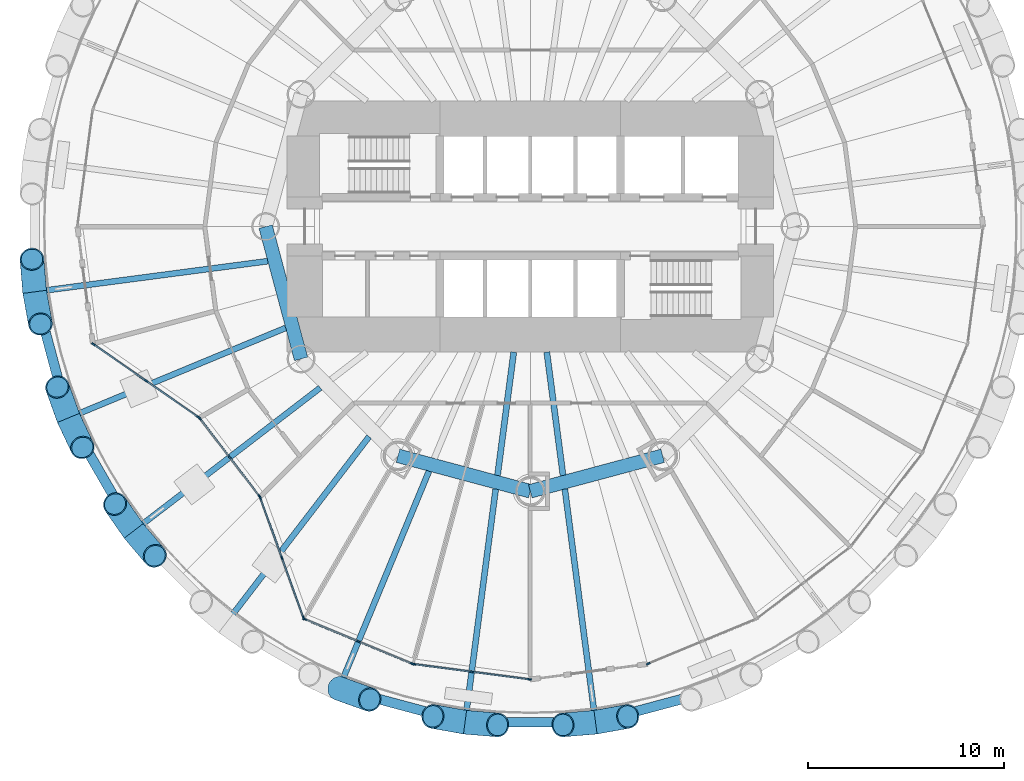
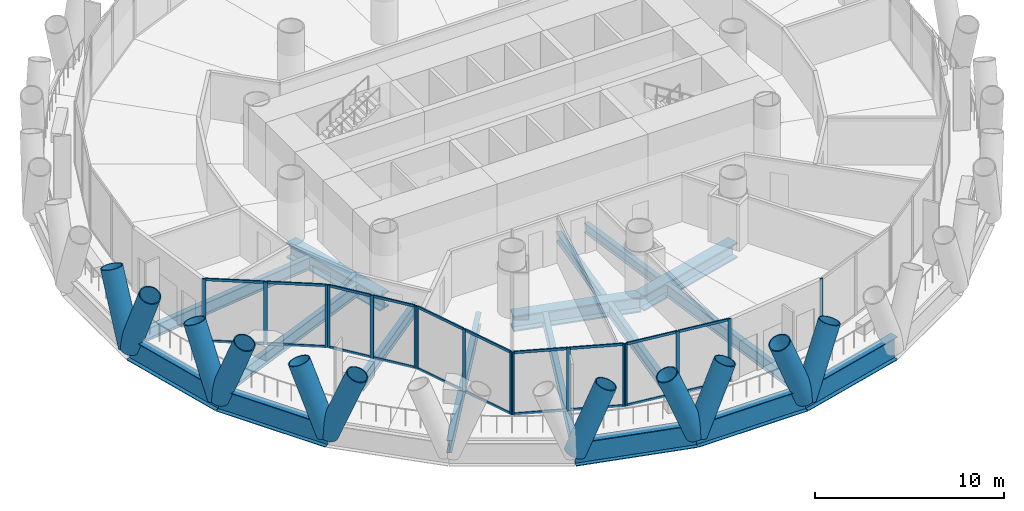
# One storey, part 2 of 14: 47 members, 17 beams, 6 elements without a shape of their own.
"""IFC4 building model written with IfcOpenShell, lengths in metres."""

import ifcopenshell
import ifcopenshell.guid

model = None  # the IFC model being written
_history = None  # IfcOwnerHistory: only IFC2X3 demands one
_inside = {}  # id of a spatial element -> (the spatial element, [elements in it])
_under = {}  # id of a project, library or spatial element -> (it, [spatial elements below it])
_declared = {}  # id of a project -> (the project, [libraries it declares])
_typed = {}  # id of a type object -> (the type object, [elements of that type])
_made_of = {}  # id of a material, layer set ... -> (it, [elements and type objects made of it])


def new_model(schema):
    """Start an empty IFC model of exactly this schema.

    Asked for "IFC4X3", IfcOpenShell would pick the latest addendum, in which some entities
    have other attributes; the version numbers below select the first issue.
    IFC2X3 requires an IfcOwnerHistory on every rooted entity: one is made here for all.
    """
    global model, _history
    if schema == "IFC4X3":
        model = ifcopenshell.file(schema_version=(4, 3, 0, 0))
    else:
        model = ifcopenshell.file(schema=schema)
    _inside.clear()
    _under.clear()
    _declared.clear()
    _typed.clear()
    _made_of.clear()
    _history = None
    if model.schema == "IFC2X3":
        org = make("IfcOrganization", Name="unknown")
        user = make(
            "IfcPersonAndOrganization",
            ThePerson=make("IfcPerson", FamilyName="unknown"),
            TheOrganization=org,
        )
        app = make(
            "IfcApplication",
            ApplicationDeveloper=org,
            Version="unknown",
            ApplicationFullName="unknown",
            ApplicationIdentifier="unknown",
        )
        _history = make(
            "IfcOwnerHistory",
            OwningUser=user,
            OwningApplication=app,
            ChangeAction="ADDED",
            CreationDate=0,
        )
    return model


def make(cls, **values):
    """One entity of the class cls with the attributes given. An attribute that is None is left unset."""
    return model.create_entity(
        cls, **{name: value for name, value in values.items() if value is not None}
    )


def rooted(cls, **values):
    """An entity with a GlobalId (a new one), such as an element, a storey or a relation."""
    return make(cls, GlobalId=ifcopenshell.guid.new(), OwnerHistory=_history, **values)


def si_unit(unit_type, name, prefix=None):
    """IfcSIUnit, for example si_unit("LENGTHUNIT", "METRE", prefix="MILLI")."""
    return make("IfcSIUnit", UnitType=unit_type, Prefix=prefix, Name=name)


def assignment(units):
    """IfcUnitAssignment: the units of a project."""
    return None if units is None else make("IfcUnitAssignment", Units=units)


def point(xyz):
    """IfcCartesianPoint."""
    return None if xyz is None else make("IfcCartesianPoint", Coordinates=xyz)


def direction(xyz):
    """IfcDirection."""
    return None if xyz is None else make("IfcDirection", DirectionRatios=xyz)


def frame(location, z_axis=None, x_axis=None):
    """IfcAxis2Placement3D, a coordinate frame: its origin and axes. An axis left out is left unset."""
    return make(
        "IfcAxis2Placement3D",
        Location=point(location),
        Axis=direction(z_axis),
        RefDirection=direction(x_axis),
    )


def frame_2d(location, x_axis=None):
    """IfcAxis2Placement2D, a coordinate frame in the plane: its origin and x axis."""
    return make(
        "IfcAxis2Placement2D", Location=point(location), RefDirection=direction(x_axis)
    )


def origin():
    """The frame at (0, 0, 0) with its axes left unset."""
    return frame((0.0, 0.0, 0.0))


def origin_2d():
    """The frame at (0, 0) in the plane with its x axis left unset."""
    return frame_2d((0.0, 0.0))


def place(relative_to, where):
    """IfcLocalPlacement: puts the frame where relative to a parent placement (None: the world)."""
    return make(
        "IfcLocalPlacement", PlacementRelTo=relative_to, RelativePlacement=where
    )


def context(
    kind, dimensions, precision=None, world=None, true_north=None, identifier=None
):
    """IfcGeometricRepresentationContext, for example the 3D "Model" context."""
    return make(
        "IfcGeometricRepresentationContext",
        ContextIdentifier=identifier,
        ContextType=kind,
        CoordinateSpaceDimension=dimensions,
        Precision=precision,
        WorldCoordinateSystem=world,
        TrueNorth=true_north,
    )


def subcontext(parent, identifier, kind, view, scale=None):
    """IfcGeometricRepresentationSubContext, for example "Body" below "Model"."""
    return make(
        "IfcGeometricRepresentationSubContext",
        ContextIdentifier=identifier,
        ContextType=kind,
        ParentContext=parent,
        TargetScale=scale,
        TargetView=view,
    )


def project(units=None, contexts=None):
    """IfcProject with its units and contexts."""
    return rooted(
        "IfcProject",
        Name="project",
        RepresentationContexts=contexts,
        UnitsInContext=assignment(units),
    )


def spatial(cls, under=None, at=None, **own):
    """A site, building, storey or space (cls), placed at a placement, below another one or the project."""
    s = rooted(cls, ObjectPlacement=at, **own)
    if under is not None:
        _under.setdefault(under.id(), (under, []))[1].append(s)
    return s


def profile(cls, at=None, kind="AREA", **sizes):
    """A parametric profile (cls). Its sizes go by their IFC names, for example OverallWidth=200.0."""
    return make(cls, ProfileType=kind, Position=at, **sizes)


def rectangle(**sizes):
    """IfcRectangleProfileDef."""
    return profile("IfcRectangleProfileDef", **sizes)


def hollow_circle(**sizes):
    """IfcCircleHollowProfileDef."""
    return profile("IfcCircleHollowProfileDef", **sizes)


def i_section(**sizes):
    """IfcIShapeProfileDef."""
    return profile("IfcIShapeProfileDef", **sizes)


def extrude(swept, where, along, depth):
    """IfcExtrudedAreaSolid: the profile swept, set in the frame where, extruded along a direction by depth."""
    return make(
        "IfcExtrudedAreaSolid",
        SweptArea=swept,
        Position=where,
        ExtrudedDirection=direction(along),
        Depth=depth,
    )


def shape(context_of_items, identifier, shape_type, items):
    """IfcShapeRepresentation: the items that make up one representation, for example the "Body"."""
    return make(
        "IfcShapeRepresentation",
        ContextOfItems=context_of_items,
        RepresentationIdentifier=identifier,
        RepresentationType=shape_type,
        Items=items,
    )


def material(Name=None, Category=None):
    """IfcMaterial."""
    return make("IfcMaterial", Name=Name, Category=Category)


def material_profile(
    of_material, cross_section, Name=None, Category=None, Priority=None
):
    """IfcMaterialProfile: a cross section and its material."""
    return make(
        "IfcMaterialProfile",
        Name=Name,
        Material=of_material,
        Profile=cross_section,
        Priority=Priority,
        Category=Category,
    )


def profile_set(profiles, Name=None, composite=None):
    """IfcMaterialProfileSet."""
    return make(
        "IfcMaterialProfileSet",
        Name=Name,
        MaterialProfiles=profiles,
        CompositeProfile=composite,
    )


def made_of(thing, what):
    """Note that an element or type object is made of a material, layer set ...; save() writes the relation."""
    if what is not None:
        _made_of.setdefault(what.id(), (what, []))[1].append(thing)
    return thing


def type_object(cls, material=None, **own):
    """A type object (cls), such as IfcWallType, which elements share."""
    return made_of(rooted(cls, **own), material)


def element(
    cls,
    number,
    at=None,
    inside=None,
    cuts=None,
    type_object=None,
    material=None,
    context=None,
    identifier="Body",
    shape_type=None,
    held_by="IfcProductDefinitionShape",
    body=None,
    shapes=None,
    **own,
):
    """One element of the class cls, such as IfcWall. Its Tag is "e" and its number.

    at: its placement. inside: the storey or other place that contains it. cuts: it is an
    opening in that element (IfcRelVoidsElement). A single representation is given by context,
    identifier, shape_type and body (its items); several are given by shapes. held_by: the class
    of the entity that holds the representations. save() writes the other relations.
    """
    e = rooted(cls, Tag="e%d" % number, ObjectPlacement=at, **own)
    if body is not None:
        shapes = [shape(context, identifier, shape_type, body)]
    if shapes is not None:
        e.Representation = make(held_by, Representations=shapes)
    if inside is not None:
        _inside.setdefault(inside.id(), (inside, []))[1].append(e)
    if cuts is not None:
        rooted(
            "IfcRelVoidsElement", RelatingBuildingElement=cuts, RelatedOpeningElement=e
        )
    if type_object is not None:
        _typed.setdefault(type_object.id(), (type_object, []))[1].append(e)
    return made_of(e, material)


def aggregate(whole, parts):
    """IfcRelAggregates: a whole, such as a stair, and the parts it consists of."""
    return rooted("IfcRelAggregates", RelatingObject=whole, RelatedObjects=parts)


def save(model, path):
    """Write the relations noted so far, then the file.

    IfcRelAggregates (storeys below a building ...), IfcRelContainedInSpatialStructure (elements
    in a storey), IfcRelDefinesByType, IfcRelAssociatesMaterial and IfcRelDeclares: one each for
    every whole, place, type object, material and project.
    """
    for whole, parts in _under.values():
        aggregate(whole, parts)
    for where, things in _inside.values():
        rooted(
            "IfcRelContainedInSpatialStructure",
            RelatedElements=things,
            RelatingStructure=where,
        )
    for kind, things in _typed.values():
        rooted("IfcRelDefinesByType", RelatedObjects=things, RelatingType=kind)
    for what, things in _made_of.values():
        rooted("IfcRelAssociatesMaterial", RelatedObjects=things, RelatingMaterial=what)
    for by, libraries in _declared.values():
        rooted("IfcRelDeclares", RelatingContext=by, RelatedDefinitions=libraries)
    model.write(path)


model = new_model("IFC4")

# Units and contexts
model_context = context("Model", 3, precision=1e-05, world=origin(), true_north=direction((0.0, 1.0)))
body_context = subcontext(model_context, "Body", "Model", "MODEL_VIEW")
ifc_project = project(units=[si_unit("LENGTHUNIT", "METRE"), si_unit("AREAUNIT", "SQUARE_METRE"), si_unit("VOLUMEUNIT", "CUBIC_METRE"), si_unit("PLANEANGLEUNIT", "RADIAN"), si_unit("MASSUNIT", "GRAM", prefix="KILO")], contexts=[model_context])

# Site, building, storey
site_placement = place(None, origin())
site = spatial("IfcSite", under=ifc_project, at=site_placement, CompositionType="ELEMENT")
building_placement = place(site_placement, origin())
building = spatial("IfcBuilding", under=site, at=building_placement, Name="Qaws Media Tower", CompositionType="ELEMENT")
storey_placement = place(building_placement, frame((0.0, 0.0, 84.800048828125)))
storey = spatial("IfcBuildingStorey", under=building, at=storey_placement, Name="L18", CompositionType="ELEMENT", Elevation=84.800048828125)

# Curtain wall, members
ifc_material_1 = material(Name="Aluminium and clear glass", Category="aluminium")
curtain_wall_type_1 = type_object("IfcCurtainWallType", Name="Loggia curtain wall CW-G", PredefinedType="NOTDEFINED", material=ifc_material_1)
curtain_wall_1_placement = place(storey_placement, origin())
curtain_wall_1 = element("IfcCurtainWall", 1, at=curtain_wall_1_placement, inside=storey, type_object=curtain_wall_type_1, Name="CWG curtain wall L18-14", PredefinedType="NOTDEFINED")
ifc_material_2 = material(Name="Aluminium mullion", Category="aluminium")
ifc_material_profile_1 = material_profile(ifc_material_2, rectangle(XDim=0.080078125, YDim=0.199951171875, at=origin_2d()), Name="80x200")
ifc_profile_set_1 = profile_set([ifc_material_profile_1], Name="Aluminium mullion")
member_type_1 = type_object("IfcMemberType", Name="Curtain wall mullion 80x200", PredefinedType="MULLION", material=ifc_profile_set_1)
member_1_placement = place(storey_placement, frame((37.719970703125, 43.99853515625, 0.0), z_axis=(0.0, 0.0, 1.0), x_axis=(0.570768095108, 0.821111308902, 0.0)))
member_1 = element("IfcMember", 2, at=member_1_placement, type_object=member_type_1, Name="CWG mullion 1", PredefinedType="MULLION", context=body_context, shape_type="SweptSolid", body=[
    extrude(rectangle(XDim=0.080078125, YDim=0.199951171875, at=origin_2d()), origin(), (0.0, 0.0, 1.0), 4.0400390625),
])
member_2_placement = place(storey_placement, frame((40.39990234375, 42.1357421875, 0.0), z_axis=(0.0, 0.0, 1.0), x_axis=(0.570768095108, 0.821111308902, 0.0)))
member_2 = element("IfcMember", 3, at=member_2_placement, type_object=member_type_1, Name="CWG mullion 2", PredefinedType="MULLION", context=body_context, shape_type="SweptSolid", body=[
    extrude(rectangle(XDim=0.080078125, YDim=0.199951171875, at=origin_2d()), origin(), (0.0, 0.0, 1.0), 4.0400390625),
])
member_3_placement = place(storey_placement, frame((43.07958984375, 40.27294921875, 0.0), z_axis=(0.0, 0.0, 1.0), x_axis=(0.570768095108, 0.821111308902, 0.0)))
member_3 = element("IfcMember", 4, at=member_3_placement, type_object=member_type_1, Name="CWG mullion 3", PredefinedType="MULLION", context=body_context, shape_type="SweptSolid", body=[
    extrude(rectangle(XDim=0.080078125, YDim=0.199951171875, at=origin_2d()), origin(), (0.0, 0.0, 1.0), 4.0400390625),
])

curtain_wall_2_placement = place(storey_placement, origin())
curtain_wall_2 = element("IfcCurtainWall", 5, at=curtain_wall_2_placement, inside=storey, type_object=curtain_wall_type_1, Name="CWG curtain wall L18-15", PredefinedType="NOTDEFINED")
member_4_placement = place(storey_placement, frame((43.136962890625, 40.21826171875, 0.0), z_axis=(0.0, 0.0, 1.0), x_axis=(0.793353336668, 0.60876143373, 0.0)))
member_4 = element("IfcMember", 6, at=member_4_placement, type_object=member_type_1, Name="CWG mullion 1", PredefinedType="MULLION", context=body_context, shape_type="SweptSolid", body=[
    extrude(rectangle(XDim=0.080078125, YDim=0.199951171875, at=origin_2d()), origin(), (0.0, 0.0, 1.0), 4.0400390625),
])
member_5_placement = place(storey_placement, frame((44.661865234375, 38.230712890625, 0.0), z_axis=(0.0, 0.0, 1.0), x_axis=(0.793353336668, 0.60876143373, 0.0)))
member_5 = element("IfcMember", 7, at=member_5_placement, type_object=member_type_1, Name="CWG mullion 2", PredefinedType="MULLION", context=body_context, shape_type="SweptSolid", body=[
    extrude(rectangle(XDim=0.080078125, YDim=0.199951171875, at=origin_2d()), origin(), (0.0, 0.0, 1.0), 4.0400390625),
])
member_6_placement = place(storey_placement, frame((46.18701171875, 36.2431640625, 0.0), z_axis=(0.0, 0.0, 1.0), x_axis=(0.793353336668, 0.60876143373, 0.0)))
member_6 = element("IfcMember", 8, at=member_6_placement, type_object=member_type_1, Name="CWG mullion 3", PredefinedType="MULLION", context=body_context, shape_type="SweptSolid", body=[
    extrude(rectangle(XDim=0.080078125, YDim=0.199951171875, at=origin_2d()), origin(), (0.0, 0.0, 1.0), 4.0400390625),
])

curtain_wall_3_placement = place(storey_placement, origin())
curtain_wall_3 = element("IfcCurtainWall", 9, at=curtain_wall_3_placement, inside=storey, type_object=curtain_wall_type_1, Name="CWG curtain wall L18-16", PredefinedType="NOTDEFINED")
member_7_placement = place(storey_placement, frame((46.224853515625, 36.173828125, 0.0), z_axis=(0.0, 0.0, 1.0), x_axis=(0.940858265705, 0.338800418913, 0.0)))
member_7 = element("IfcMember", 10, at=member_7_placement, type_object=member_type_1, Name="CWG mullion 1", PredefinedType="MULLION", context=body_context, shape_type="SweptSolid", body=[
    extrude(rectangle(XDim=0.080078125, YDim=0.199951171875, at=origin_2d()), origin(), (0.0, 0.0, 1.0), 4.0400390625),
])
member_8_placement = place(storey_placement, frame((47.330810546875, 33.10302734375, 0.0), z_axis=(0.0, 0.0, 1.0), x_axis=(0.940858265705, 0.338800418913, 0.0)))
member_8 = element("IfcMember", 11, at=member_8_placement, type_object=member_type_1, Name="CWG mullion 2", PredefinedType="MULLION", context=body_context, shape_type="SweptSolid", body=[
    extrude(rectangle(XDim=0.080078125, YDim=0.199951171875, at=origin_2d()), origin(), (0.0, 0.0, 1.0), 4.0400390625),
])
member_9_placement = place(storey_placement, frame((48.4365234375, 30.032470703125, 0.0), z_axis=(0.0, 0.0, 1.0), x_axis=(0.940858265705, 0.338800418913, 0.0)))
member_9 = element("IfcMember", 12, at=member_9_placement, type_object=member_type_1, Name="CWG mullion 3", PredefinedType="MULLION", context=body_context, shape_type="SweptSolid", body=[
    extrude(rectangle(XDim=0.080078125, YDim=0.199951171875, at=origin_2d()), origin(), (0.0, 0.0, 1.0), 4.0400390625),
])

ifc_material_3 = material(Name="Aluminium and clear glass", Category="aluminium")
curtain_wall_type_2 = type_object("IfcCurtainWallType", Name="Unitised curtain wall CW-A", PredefinedType="NOTDEFINED", material=ifc_material_3)
curtain_wall_4_placement = place(storey_placement, origin())
curtain_wall_4 = element("IfcCurtainWall", 13, at=curtain_wall_4_placement, inside=storey, type_object=curtain_wall_type_2, Name="CWA curtain wall L18-17", PredefinedType="NOTDEFINED")
member_10_placement = place(storey_placement, frame((48.487060546875, 29.9794921875, 0.0), z_axis=(0.0, 0.0, 1.0), x_axis=(0.382683469758, 0.923879517022, 0.0)))
member_10 = element("IfcMember", 14, at=member_10_placement, type_object=member_type_1, Name="CWA mullion 1", PredefinedType="MULLION", context=body_context, shape_type="SweptSolid", body=[
    extrude(rectangle(XDim=0.080078125, YDim=0.199951171875, at=origin_2d()), origin(), (0.0, 0.0, 1.0), 4.0400390625),
])
member_11_placement = place(storey_placement, frame((51.235595703125, 28.841064453125, 0.0), z_axis=(0.0, 0.0, 1.0), x_axis=(0.382683469758, 0.923879517022, 0.0)))
member_11 = element("IfcMember", 15, at=member_11_placement, type_object=member_type_1, Name="CWA mullion 2", PredefinedType="MULLION", context=body_context, shape_type="SweptSolid", body=[
    extrude(rectangle(XDim=0.080078125, YDim=0.199951171875, at=origin_2d()), origin(), (0.0, 0.0, 1.0), 4.0400390625),
])
member_12_placement = place(storey_placement, frame((53.984375, 27.702392578125, 0.0), z_axis=(0.0, 0.0, 1.0), x_axis=(0.382683469758, 0.923879517022, 0.0)))
member_12 = element("IfcMember", 16, at=member_12_placement, type_object=member_type_1, Name="CWA mullion 3", PredefinedType="MULLION", context=body_context, shape_type="SweptSolid", body=[
    extrude(rectangle(XDim=0.080078125, YDim=0.199951171875, at=origin_2d()), origin(), (0.0, 0.0, 1.0), 4.0400390625),
])

curtain_wall_5_placement = place(storey_placement, origin())
curtain_wall_5 = element("IfcCurtainWall", 17, at=curtain_wall_5_placement, inside=storey, type_object=curtain_wall_type_2, Name="CWA curtain wall L18-18", PredefinedType="NOTDEFINED")
member_13_placement = place(storey_placement, frame((54.06103515625, 27.681884765625, 0.0), z_axis=(0.0, 0.0, 1.0), x_axis=(0.130526123696, 0.991444870395, 0.0)))
member_13 = element("IfcMember", 18, at=member_13_placement, type_object=member_type_1, Name="CWA mullion 1", PredefinedType="MULLION", context=body_context, shape_type="SweptSolid", body=[
    extrude(rectangle(XDim=0.080078125, YDim=0.199951171875, at=origin_2d()), origin(), (0.0, 0.0, 1.0), 4.0400390625),
])
member_14_placement = place(storey_placement, frame((57.0107421875, 27.29345703125, 0.0), z_axis=(0.0, 0.0, 1.0), x_axis=(0.130526123696, 0.991444870395, 0.0)))
member_14 = element("IfcMember", 19, at=member_14_placement, type_object=member_type_1, Name="CWA mullion 2", PredefinedType="MULLION", context=body_context, shape_type="SweptSolid", body=[
    extrude(rectangle(XDim=0.080078125, YDim=0.199951171875, at=origin_2d()), origin(), (0.0, 0.0, 1.0), 4.0400390625),
])
member_15_placement = place(storey_placement, frame((59.96044921875, 26.9052734375, 0.0), z_axis=(0.0, 0.0, 1.0), x_axis=(0.130526123696, 0.991444870395, 0.0)))
member_15 = element("IfcMember", 20, at=member_15_placement, type_object=member_type_1, Name="CWA mullion 3", PredefinedType="MULLION", context=body_context, shape_type="SweptSolid", body=[
    extrude(rectangle(XDim=0.080078125, YDim=0.199951171875, at=origin_2d()), origin(), (0.0, 0.0, 1.0), 4.0400390625),
])

# Curtain wall, member
curtain_wall_6_placement = place(storey_placement, origin())
curtain_wall_6 = element("IfcCurtainWall", 21, at=curtain_wall_6_placement, inside=storey, type_object=curtain_wall_type_2, Name="CWA curtain wall L18-20", PredefinedType="NOTDEFINED")
member_16_placement = place(storey_placement, frame((66.015625, 27.702392578125, 0.0), z_axis=(0.0, 0.0, 1.0), x_axis=(-0.382683469758, 0.923879517022, 0.0)))
member_16 = element("IfcMember", 22, at=member_16_placement, type_object=member_type_1, Name="CWA mullion 1", PredefinedType="MULLION", context=body_context, shape_type="SweptSolid", body=[
    extrude(rectangle(XDim=0.080078125, YDim=0.199951171875, at=origin_2d()), origin(), (0.0, 0.0, 1.0), 4.0400390625),
])
aggregate(curtain_wall_6, [member_16])

# Member
ifc_material_4 = material(Name="Aluminium transom", Category="aluminium")
ifc_material_profile_2 = material_profile(ifc_material_4, rectangle(XDim=0.080078125, YDim=0.159912109375, at=origin_2d()), Name="80x160")
ifc_profile_set_2 = profile_set([ifc_material_profile_2], Name="Aluminium transom")
member_type_2 = type_object("IfcMemberType", Name="Curtain wall transom 80x160", PredefinedType="USERDEFINED", material=ifc_profile_set_2)
member_17_placement = place(storey_placement, frame((37.752685546875, 43.9755859375, 0.0400390625), z_axis=(0.82112239482, -0.570752146493, 0.0), x_axis=(0.570752146493, 0.82112239482, 0.0)))
member_17 = element("IfcMember", 23, at=member_17_placement, type_object=member_type_2, Name="CWG transom 1.1", ObjectType="TRANSOM", PredefinedType="USERDEFINED", context=body_context, shape_type="SweptSolid", body=[
    extrude(rectangle(XDim=0.080078125, YDim=0.159912109375, at=origin_2d()), origin(), (0.0, 0.0, 1.0), 3.183837890625),
])

member_18_placement = place(storey_placement, frame((37.752685546875, 43.9755859375, 4.0), z_axis=(0.82112239482, -0.570752146493, 0.0), x_axis=(0.570752146493, 0.82112239482, 0.0)))
member_18 = element("IfcMember", 24, at=member_18_placement, type_object=member_type_2, Name="CWG transom 1.2", ObjectType="TRANSOM", PredefinedType="USERDEFINED", context=body_context, shape_type="SweptSolid", body=[
    extrude(rectangle(XDim=0.080078125, YDim=0.159912109375, at=origin_2d()), origin(), (0.0, 0.0, 1.0), 3.183837890625),
])

member_19_placement = place(storey_placement, frame((40.4326171875, 42.11279296875, 0.0400390625), z_axis=(0.82112239482, -0.570752146493, 0.0), x_axis=(0.570752146493, 0.82112239482, 0.0)))
member_19 = element("IfcMember", 25, at=member_19_placement, type_object=member_type_2, Name="CWG transom 2.1", ObjectType="TRANSOM", PredefinedType="USERDEFINED", context=body_context, shape_type="SweptSolid", body=[
    extrude(rectangle(XDim=0.080078125, YDim=0.159912109375, at=origin_2d()), origin(), (0.0, 0.0, 1.0), 3.183837890625),
])

member_20_placement = place(storey_placement, frame((40.4326171875, 42.11279296875, 4.0), z_axis=(0.82112239482, -0.570752146493, 0.0), x_axis=(0.570752146493, 0.82112239482, 0.0)))
member_20 = element("IfcMember", 26, at=member_20_placement, type_object=member_type_2, Name="CWG transom 2.2", ObjectType="TRANSOM", PredefinedType="USERDEFINED", context=body_context, shape_type="SweptSolid", body=[
    extrude(rectangle(XDim=0.080078125, YDim=0.159912109375, at=origin_2d()), origin(), (0.0, 0.0, 1.0), 3.183837890625),
])

aggregate(curtain_wall_1, [member_1, member_2, member_3, member_17, member_18, member_19, member_20])

member_21_placement = place(storey_placement, frame((43.1611328125, 40.1865234375, 0.0400390625), z_axis=(0.60880552559, -0.793319501847, 0.0), x_axis=(0.793319501847, 0.60880552559, 0.0)))
member_21 = element("IfcMember", 27, at=member_21_placement, type_object=member_type_2, Name="CWG transom 1.1", ObjectType="TRANSOM", PredefinedType="USERDEFINED", context=body_context, shape_type="SweptSolid", body=[
    extrude(rectangle(XDim=0.080078125, YDim=0.159912109375, at=origin_2d()), origin(), (0.0, 0.0, 1.0), 2.42529296875),
])

member_22_placement = place(storey_placement, frame((43.1611328125, 40.1865234375, 4.0), z_axis=(0.60880552559, -0.793319501847, 0.0), x_axis=(0.793319501847, 0.60880552559, 0.0)))
member_22 = element("IfcMember", 28, at=member_22_placement, type_object=member_type_2, Name="CWG transom 1.2", ObjectType="TRANSOM", PredefinedType="USERDEFINED", context=body_context, shape_type="SweptSolid", body=[
    extrude(rectangle(XDim=0.080078125, YDim=0.159912109375, at=origin_2d()), origin(), (0.0, 0.0, 1.0), 2.42529296875),
])

member_23_placement = place(storey_placement, frame((44.686279296875, 38.198974609375, 0.0400390625), z_axis=(0.608742167367, -0.793368119897, 0.0), x_axis=(0.793368119897, 0.608742167367, 0.0)))
member_23 = element("IfcMember", 29, at=member_23_placement, type_object=member_type_2, Name="CWG transom 2.1", ObjectType="TRANSOM", PredefinedType="USERDEFINED", context=body_context, shape_type="SweptSolid", body=[
    extrude(rectangle(XDim=0.080078125, YDim=0.159912109375, at=origin_2d()), origin(), (0.0, 0.0, 1.0), 2.42529296875),
])

member_24_placement = place(storey_placement, frame((44.686279296875, 38.198974609375, 4.0), z_axis=(0.608742167367, -0.793368119897, 0.0), x_axis=(0.793368119897, 0.608742167367, 0.0)))
member_24 = element("IfcMember", 30, at=member_24_placement, type_object=member_type_2, Name="CWG transom 2.2", ObjectType="TRANSOM", PredefinedType="USERDEFINED", context=body_context, shape_type="SweptSolid", body=[
    extrude(rectangle(XDim=0.080078125, YDim=0.159912109375, at=origin_2d()), origin(), (0.0, 0.0, 1.0), 2.42529296875),
])

aggregate(curtain_wall_2, [member_4, member_5, member_6, member_21, member_22, member_23, member_24])

member_25_placement = place(storey_placement, frame((46.238525390625, 36.13623046875, 0.0400390625), z_axis=(0.33879821675, -0.940859058694, 0.0), x_axis=(0.940859058694, 0.33879821675, 0.0)))
member_25 = element("IfcMember", 31, at=member_25_placement, type_object=member_type_2, Name="CWG transom 1.1", ObjectType="TRANSOM", PredefinedType="USERDEFINED", context=body_context, shape_type="SweptSolid", body=[
    extrude(rectangle(XDim=0.080078125, YDim=0.159912109375, at=origin_2d()), origin(), (0.0, 0.0, 1.0), 3.18359375),
])

member_26_placement = place(storey_placement, frame((46.238525390625, 36.13623046875, 4.0), z_axis=(0.33879821675, -0.940859058694, 0.0), x_axis=(0.940859058694, 0.33879821675, 0.0)))
member_26 = element("IfcMember", 32, at=member_26_placement, type_object=member_type_2, Name="CWG transom 1.2", ObjectType="TRANSOM", PredefinedType="USERDEFINED", context=body_context, shape_type="SweptSolid", body=[
    extrude(rectangle(XDim=0.080078125, YDim=0.159912109375, at=origin_2d()), origin(), (0.0, 0.0, 1.0), 3.18359375),
])

member_27_placement = place(storey_placement, frame((47.34423828125, 33.0654296875, 0.0400390625), z_axis=(0.33879821675, -0.940859058694, 0.0), x_axis=(0.940859058694, 0.33879821675, 0.0)))
member_27 = element("IfcMember", 33, at=member_27_placement, type_object=member_type_2, Name="CWG transom 2.1", ObjectType="TRANSOM", PredefinedType="USERDEFINED", context=body_context, shape_type="SweptSolid", body=[
    extrude(rectangle(XDim=0.080078125, YDim=0.159912109375, at=origin_2d()), origin(), (0.0, 0.0, 1.0), 3.18359375),
])

member_28_placement = place(storey_placement, frame((47.34423828125, 33.0654296875, 4.0), z_axis=(0.33879821675, -0.940859058694, 0.0), x_axis=(0.940859058694, 0.33879821675, 0.0)))
member_28 = element("IfcMember", 34, at=member_28_placement, type_object=member_type_2, Name="CWG transom 2.2", ObjectType="TRANSOM", PredefinedType="USERDEFINED", context=body_context, shape_type="SweptSolid", body=[
    extrude(rectangle(XDim=0.080078125, YDim=0.159912109375, at=origin_2d()), origin(), (0.0, 0.0, 1.0), 3.18359375),
])

aggregate(curtain_wall_3, [member_7, member_8, member_9, member_25, member_26, member_27, member_28])

member_29_placement = place(storey_placement, frame((48.52392578125, 29.964111328125, 0.0400390625), z_axis=(0.923883223123, -0.382674522319, 0.0), x_axis=(0.382674522319, 0.923883223123, 0.0)))
member_29 = element("IfcMember", 35, at=member_29_placement, type_object=member_type_2, Name="CWA transom 1.1", ObjectType="TRANSOM", PredefinedType="USERDEFINED", context=body_context, shape_type="SweptSolid", body=[
    extrude(rectangle(XDim=0.080078125, YDim=0.159912109375, at=origin_2d()), origin(), (0.0, 0.0, 1.0), 2.895263671875),
])

member_30_placement = place(storey_placement, frame((48.52392578125, 29.964111328125, 4.0), z_axis=(0.923883223123, -0.382674522319, 0.0), x_axis=(0.382674522319, 0.923883223123, 0.0)))
member_30 = element("IfcMember", 36, at=member_30_placement, type_object=member_type_2, Name="CWA transom 1.2", ObjectType="TRANSOM", PredefinedType="USERDEFINED", context=body_context, shape_type="SweptSolid", body=[
    extrude(rectangle(XDim=0.080078125, YDim=0.159912109375, at=origin_2d()), origin(), (0.0, 0.0, 1.0), 2.895263671875),
])

member_31_placement = place(storey_placement, frame((51.272705078125, 28.82568359375, 0.0400390625), z_axis=(0.923870872897, -0.382704337855, 0.0), x_axis=(0.382704337855, 0.923870872897, 0.0)))
member_31 = element("IfcMember", 37, at=member_31_placement, type_object=member_type_2, Name="CWA transom 2.1", ObjectType="TRANSOM", PredefinedType="USERDEFINED", context=body_context, shape_type="SweptSolid", body=[
    extrude(rectangle(XDim=0.080078125, YDim=0.159912109375, at=origin_2d()), origin(), (0.0, 0.0, 1.0), 2.89501953125),
])

member_32_placement = place(storey_placement, frame((51.272705078125, 28.82568359375, 4.0), z_axis=(0.923870872897, -0.382704337855, 0.0), x_axis=(0.382704337855, 0.923870872897, 0.0)))
member_32 = element("IfcMember", 38, at=member_32_placement, type_object=member_type_2, Name="CWA transom 2.2", ObjectType="TRANSOM", PredefinedType="USERDEFINED", context=body_context, shape_type="SweptSolid", body=[
    extrude(rectangle(XDim=0.080078125, YDim=0.159912109375, at=origin_2d()), origin(), (0.0, 0.0, 1.0), 2.89501953125),
])

aggregate(curtain_wall_4, [member_10, member_11, member_12, member_29, member_30, member_31, member_32])

member_33_placement = place(storey_placement, frame((54.1005859375, 27.6767578125, 0.0400390625), z_axis=(0.991443097924, -0.130539586254, 0.0), x_axis=(0.130539586254, 0.991443097924, 0.0)))
member_33 = element("IfcMember", 39, at=member_33_placement, type_object=member_type_2, Name="CWA transom 1.1", ObjectType="TRANSOM", PredefinedType="USERDEFINED", context=body_context, shape_type="SweptSolid", body=[
    extrude(rectangle(XDim=0.080078125, YDim=0.159912109375, at=origin_2d()), origin(), (0.0, 0.0, 1.0), 2.89501953125),
])

member_34_placement = place(storey_placement, frame((54.1005859375, 27.6767578125, 4.0), z_axis=(0.991443097924, -0.130539586254, 0.0), x_axis=(0.130539586254, 0.991443097924, 0.0)))
member_34 = element("IfcMember", 40, at=member_34_placement, type_object=member_type_2, Name="CWA transom 1.2", ObjectType="TRANSOM", PredefinedType="USERDEFINED", context=body_context, shape_type="SweptSolid", body=[
    extrude(rectangle(XDim=0.080078125, YDim=0.159912109375, at=origin_2d()), origin(), (0.0, 0.0, 1.0), 2.89501953125),
])

member_35_placement = place(storey_placement, frame((57.05029296875, 27.288330078125, 0.0400390625), z_axis=(0.991443097924, -0.130539586254, 0.0), x_axis=(0.130539586254, 0.991443097924, 0.0)))
member_35 = element("IfcMember", 41, at=member_35_placement, type_object=member_type_2, Name="CWA transom 2.1", ObjectType="TRANSOM", PredefinedType="USERDEFINED", context=body_context, shape_type="SweptSolid", body=[
    extrude(rectangle(XDim=0.080078125, YDim=0.159912109375, at=origin_2d()), origin(), (0.0, 0.0, 1.0), 2.89501953125),
])

member_36_placement = place(storey_placement, frame((57.05029296875, 27.288330078125, 4.0), z_axis=(0.991443097924, -0.130539586254, 0.0), x_axis=(0.130539586254, 0.991443097924, 0.0)))
member_36 = element("IfcMember", 42, at=member_36_placement, type_object=member_type_2, Name="CWA transom 2.2", ObjectType="TRANSOM", PredefinedType="USERDEFINED", context=body_context, shape_type="SweptSolid", body=[
    extrude(rectangle(XDim=0.080078125, YDim=0.159912109375, at=origin_2d()), origin(), (0.0, 0.0, 1.0), 2.89501953125),
])

aggregate(curtain_wall_5, [member_13, member_14, member_15, member_33, member_34, member_35, member_36])

# Members
ifc_material_5 = material(Name="Steel S460", Category="steel")
ifc_material_profile_3 = material_profile(ifc_material_5, hollow_circle(Radius=0.609619140625, WallThickness=0.06005859375, at=origin_2d()), Name="CHS 1219x60")
ifc_profile_set_3 = profile_set([ifc_material_profile_3], Name="Steel S460")
member_type_3 = type_object("IfcMemberType", Name="Diagrid member CHS 1219x60", PredefinedType="USERDEFINED", material=ifc_profile_set_3)
for number, where, z_axis, x_axis, name in (
    (43, (34.71826171875, 46.671630859375, -0.91015625), (0.065528218319, -0.363241335512, 0.92938785487), (0.984114863036, 0.17753291625, 0.0), "DG1 diagrid L18 A13"),
    (44, (34.71826171875, 46.671630859375, -0.91015625), (-0.030684816852, 0.367785621701, 0.929404206191), (-0.996537677535, -0.083142391428, 0.0), "DG1 diagrid L18 B13"),
    (45, (36.441162109375, 40.241455078125, -0.91015625), (0.157313558342, -0.333859131371, 0.929403316522), (0.904606281715, 0.426248137921, 0.0), "DG1 diagrid L18 A14"),
    (46, (36.441162109375, 40.241455078125, -0.91015625), (-0.124843572797, 0.34735792864, 0.929385039552), (-0.94106452636, -0.338227079381, 0.0), "DG1 diagrid L18 B14"),
    (47, (39.76953125, 34.4765625, -0.91015625), (0.238398191578, -0.281777694827, 0.929391001113), (0.763425145671, 0.645896312854, 0.0), "DG1 diagrid L18 A15"),
    (48, (39.76953125, 34.4765625, -0.91015625), (-0.210467890476, 0.303222861715, 0.929386444495), (-0.821501367962, -0.570206543663, 0.0), "DG1 diagrid L18 B15"),
    (49, (50.241455078125, 26.441162109375, -0.91015625), (0.34735792864, -0.124843572797, 0.929385039552), (0.338227079381, 0.94106452636, 0.0), "DG1 diagrid L18 A17"),
    (50, (56.671630859375, 24.71826171875, -0.91015625), (0.367785621701, -0.030684816852, 0.929404206191), (0.083142391428, 0.996537677535, 0.0), "DG1 diagrid L18 A18"),
    (51, (56.671630859375, 24.71826171875, -0.91015625), (-0.363241335512, 0.065528218319, 0.92938785487), (-0.17753291625, -0.984114863036, 0.0), "DG1 diagrid L18 B18"),
    (52, (63.328369140625, 24.71826171875, -0.91015625), (0.363241335512, 0.065528218319, 0.92938785487), (-0.17753291625, 0.984114863036, 0.0), "DG1 diagrid L18 A19"),
    (53, (63.328369140625, 24.71826171875, -0.91015625), (-0.367785621701, -0.030684816852, 0.929404206191), (0.083142391428, -0.996537677535, 0.0), "DG1 diagrid L18 B19"),
):
    element("IfcMember", number, at=place(storey_placement, frame(where, z_axis=z_axis, x_axis=x_axis)), inside=storey, type_object=member_type_3, Name=name, ObjectType="DIAGRID", PredefinedType="USERDEFINED", context=body_context, shape_type="SweptSolid", body=[
        extrude(hollow_circle(Radius=0.609619140625, WallThickness=0.06005859375, at=origin_2d()), origin(), (0.0, 0.0, 1.0), 4.519287109375),
    ])

# Beams
ifc_material_6 = material(Name="Steel S460", Category="steel")
ifc_material_profile_4 = material_profile(ifc_material_6, i_section(OverallWidth=0.5, OverallDepth=1.5, WebThickness=0.02001953125, FlangeThickness=0.0400390625, at=origin_2d()), Name="PG 1500x500")
ifc_profile_set_4 = profile_set([ifc_material_profile_4], Name="Steel S460")
beam_type_1 = type_object("IfcBeamType", Name="Edge ring beam PG 1500x500", PredefinedType="BEAM", material=ifc_profile_set_4)
beam_1_placement = place(storey_placement, frame((34.71826171875, 46.671630859375, -0.91015625), z_axis=(0.258810633371, -0.965928080166, 0.0), x_axis=(0.965928080166, 0.258810633371, 0.0)))
element("IfcBeam", 54, at=beam_1_placement, inside=storey, type_object=beam_type_1, Name="RB4 edge ring beam L18-13", PredefinedType="BEAM", context=body_context, shape_type="SweptSolid", body=[
    extrude(i_section(OverallWidth=0.5, OverallDepth=1.5, WebThickness=0.02001953125, FlangeThickness=0.0400390625, at=origin_2d()), origin(), (0.0, 0.0, 1.0), 6.656982421875),
])
beam_2_placement = place(storey_placement, frame((36.441162109375, 40.241455078125, -0.91015625), z_axis=(0.500000772766, -0.866024957627, 0.0), x_axis=(0.866024957627, 0.500000772766, 0.0)))
element("IfcBeam", 55, at=beam_2_placement, inside=storey, type_object=beam_type_1, Name="RB4 edge ring beam L18-14", PredefinedType="BEAM", context=body_context, shape_type="SweptSolid", body=[
    extrude(i_section(OverallWidth=0.5, OverallDepth=1.5, WebThickness=0.02001953125, FlangeThickness=0.0400390625, at=origin_2d()), origin(), (0.0, 0.0, 1.0), 6.65673828125),
])
beam_3_placement = place(storey_placement, frame((50.241455078125, 26.441162109375, -0.91015625), z_axis=(0.965928080166, -0.258810633371, 0.0), x_axis=(0.258810633371, 0.965928080166, 0.0)))
element("IfcBeam", 56, at=beam_3_placement, inside=storey, type_object=beam_type_1, Name="RB4 edge ring beam L18-17", PredefinedType="BEAM", context=body_context, shape_type="SweptSolid", body=[
    extrude(i_section(OverallWidth=0.5, OverallDepth=1.5, WebThickness=0.02001953125, FlangeThickness=0.0400390625, at=origin_2d()), origin(), (0.0, 0.0, 1.0), 6.656982421875),
])
beam_4_placement = place(storey_placement, frame((56.671630859375, 24.71826171875, -0.91015625), z_axis=(1.0, 0.0, 0.0), x_axis=(0.0, 1.0, 0.0)))
element("IfcBeam", 57, at=beam_4_placement, inside=storey, type_object=beam_type_1, Name="RB4 edge ring beam L18-18", PredefinedType="BEAM", context=body_context, shape_type="SweptSolid", body=[
    extrude(i_section(OverallWidth=0.5, OverallDepth=1.5, WebThickness=0.02001953125, FlangeThickness=0.0400390625, at=origin_2d()), origin(), (0.0, 0.0, 1.0), 6.65673828125),
])
beam_5_placement = place(storey_placement, frame((63.328369140625, 24.71826171875, -0.91015625), z_axis=(0.965928080166, 0.258810633371, 0.0), x_axis=(-0.258810633371, 0.965928080166, 0.0)))
element("IfcBeam", 58, at=beam_5_placement, inside=storey, type_object=beam_type_1, Name="RB4 edge ring beam L18-19", PredefinedType="BEAM", context=body_context, shape_type="SweptSolid", body=[
    extrude(i_section(OverallWidth=0.5, OverallDepth=1.5, WebThickness=0.02001953125, FlangeThickness=0.0400390625, at=origin_2d()), origin(), (0.0, 0.0, 1.0), 6.656982421875),
])
ifc_material_7 = material(Name="Steel S460", Category="steel")
ifc_material_profile_5 = material_profile(ifc_material_7, i_section(OverallWidth=0.699951171875, OverallDepth=1.0, WebThickness=0.034912109375, FlangeThickness=0.090087890625, at=origin_2d()), Name="PG 1000x700")
ifc_profile_set_5 = profile_set([ifc_material_profile_5], Name="Steel S460")
beam_type_2 = type_object("IfcBeamType", Name="Inner ring girder PG 1000x700", PredefinedType="BEAM", material=ifc_profile_set_5)
for number, where, z_axis, x_axis, name in (
    (59, (46.5, 50.0, -0.66015625), (0.258810593767, -0.965928090778, 0.0), (0.965928090778, 0.258810593767, 0.0), "B3 inner ring beam L18 I07-I08"),
    (60, (53.25, 38.30859375, -0.66015625), (0.965928090778, -0.258810593767, 0.0), (0.258810593767, 0.965928090778, 0.0), "B3 inner ring beam L18 I09-I10"),
    (61, (60.0, 36.5, -0.66015625), (0.965928090778, 0.258810593767, 0.0), (-0.258810593767, 0.965928090778, 0.0), "B3 inner ring beam L18 I10-I11"),
):
    element("IfcBeam", number, at=place(storey_placement, frame(where, z_axis=z_axis, x_axis=x_axis)), inside=storey, type_object=beam_type_2, Name=name, PredefinedType="BEAM", context=body_context, shape_type="SweptSolid", body=[
        extrude(i_section(OverallWidth=0.699951171875, OverallDepth=1.0, WebThickness=0.034912109375, FlangeThickness=0.090087890625, at=origin_2d()), origin(), (0.0, 0.0, 1.0), 6.988037109375),
    ])
ifc_material_8 = material(Name="Steel S355", Category="steel")
ifc_material_profile_6 = material_profile(ifc_material_8, i_section(OverallWidth=0.304931640625, OverallDepth=0.6201171875, WebThickness=0.02099609375, FlangeThickness=0.0400390625, FilletRadius=0.027099609375, at=origin_2d()), Name="HE 600 M")
ifc_profile_set_6 = profile_set([ifc_material_profile_6], Name="Steel S355")
beam_type_3 = type_object("IfcBeamType", Name="Radial beam HE 600 M, core side", PredefinedType="BEAM", material=ifc_profile_set_6)
for number, where, z_axis, x_axis, name in (
    (62, (59.157470703125, 43.60009765625, -0.469970703125), (-0.130530165938, -0.991444338216, 0.0), (0.991444338216, -0.130530165938, 0.0), "B2 radial beam L18 18"),
    (63, (60.842529296875, 43.60009765625, -0.469970703125), (0.130530165938, -0.991444338216, 0.0), (0.991444338216, 0.130530165938, 0.0), "B2 radial beam L18 19"),
):
    element("IfcBeam", number, at=place(storey_placement, frame(where, z_axis=z_axis, x_axis=x_axis)), inside=storey, type_object=beam_type_3, Name=name, PredefinedType="BEAM", context=body_context, shape_type="SweptSolid", body=[
        extrude(i_section(OverallWidth=0.304931640625, OverallDepth=0.6201171875, WebThickness=0.02099609375, FlangeThickness=0.0400390625, FilletRadius=0.027099609375, at=origin_2d()), origin(), (0.0, 0.0, 1.0), 6.34423828125),
    ])
ifc_material_9 = material(Name="Steel S355", Category="steel")
ifc_material_profile_7 = material_profile(ifc_material_9, i_section(OverallWidth=0.300048828125, OverallDepth=0.800048828125, WebThickness=0.017578125, FlangeThickness=0.032958984375, FilletRadius=0.030029296875, at=origin_2d()), Name="HE 800 B")
ifc_profile_set_7 = profile_set([ifc_material_profile_7], Name="Steel S355")
beam_type_4 = type_object("IfcBeamType", Name="Radial beam HE 800 B", PredefinedType="BEAM", material=ifc_profile_set_7)
for number, where, z_axis, x_axis, name in (
    (64, (46.610107421875, 48.237060546875, -0.56005859375), (-0.991446603732, -0.130512957013, 0.0), (0.130512957013, -0.991446603732, 0.0), "B1 radial beam L18 13"),
    (65, (47.5224609375, 44.83154296875, -0.56005859375), (-0.923877656977, -0.382687960273, 0.0), (0.382687960273, -0.923877656977, 0.0), "B1 radial beam L18 14"),
    (66, (49.285400390625, 41.7783203125, -0.56005859375), (-0.793354362758, -0.608760096502, 0.0), (0.608760096502, -0.793354362758, 0.0), "B1 radial beam L18 15"),
    (67, (51.7783203125, 39.285400390625, -0.56005859375), (-0.608760096502, -0.793354362758, 0.0), (0.793354362758, -0.608760096502, 0.0), "B1 radial beam L18 16"),
    (68, (54.83154296875, 37.5224609375, -0.56005859375), (-0.382687960273, -0.923877656977, 0.0), (0.923877656977, -0.382687960273, 0.0), "B1 radial beam L18 17"),
    (69, (58.237060546875, 36.610107421875, -0.56005859375), (-0.130512957013, -0.991446603732, 0.0), (0.991446603732, -0.130512957013, 0.0), "B1 radial beam L18 18"),
    (70, (61.762939453125, 36.610107421875, -0.56005859375), (0.130512957013, -0.991446603732, 0.0), (0.991446603732, 0.130512957013, 0.0), "B1 radial beam L18 19"),
):
    element("IfcBeam", number, at=place(storey_placement, frame(where, z_axis=z_axis, x_axis=x_axis)), inside=storey, type_object=beam_type_4, Name=name, PredefinedType="BEAM", context=body_context, shape_type="SweptSolid", body=[
        extrude(i_section(OverallWidth=0.300048828125, OverallDepth=0.800048828125, WebThickness=0.017578125, FlangeThickness=0.032958984375, FilletRadius=0.030029296875, at=origin_2d()), origin(), (0.0, 0.0, 1.0), 11.994384765625),
    ])

save(model, "model.ifc")
